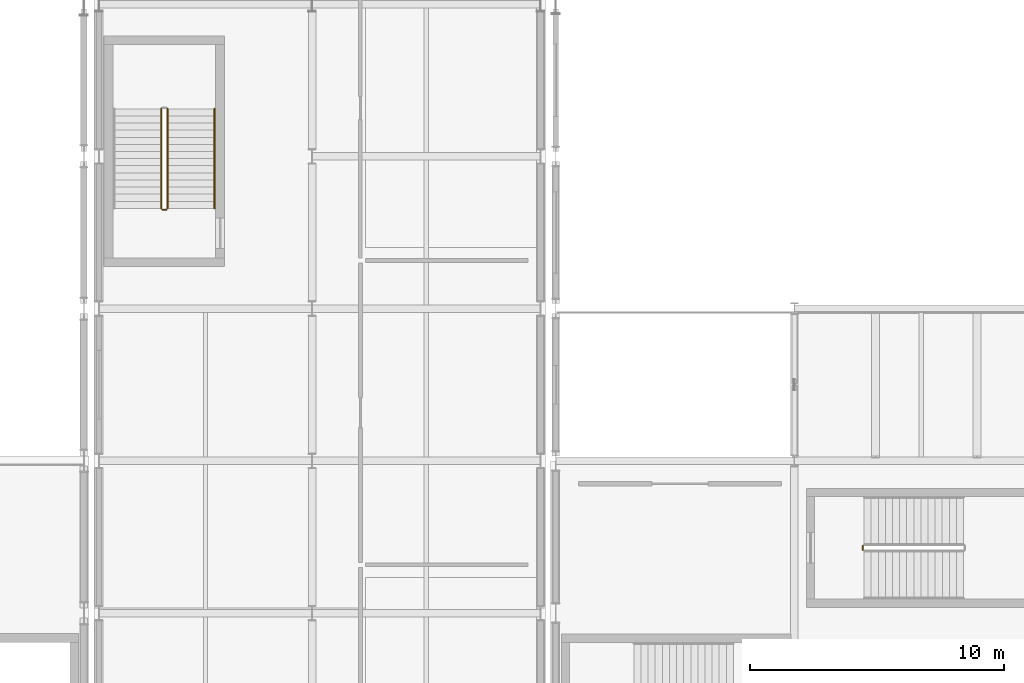
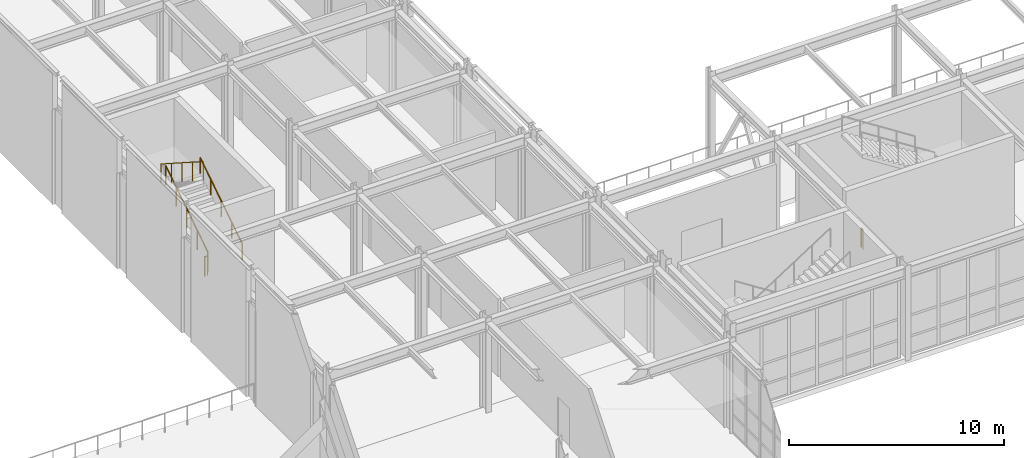
# One storey, part 207 of 210: 5 railings.
"""IFC4 building model written with IfcOpenShell, lengths in metres."""

from ifc_helpers import new_model, si_unit, direction, frame, origin, origin_2d, place, context, subcontext, project, spatial, circle, extrude, material, type_object, element, save


model = new_model("IFC4")

# Units and contexts
model_context = context("Model", 3, precision=1e-05, world=origin(), true_north=direction((0.0, 1.0)))
body_context = subcontext(model_context, "Body", "Model", "MODEL_VIEW")
ifc_project = project(units=[si_unit("LENGTHUNIT", "METRE"), si_unit("AREAUNIT", "SQUARE_METRE"), si_unit("VOLUMEUNIT", "CUBIC_METRE"), si_unit("PLANEANGLEUNIT", "RADIAN"), si_unit("MASSUNIT", "GRAM", prefix="KILO")], contexts=[model_context])

# Site, building, storey
site_placement = place(None, origin())
site = spatial("IfcSite", under=ifc_project, at=site_placement, CompositionType="ELEMENT")
building_placement = place(site_placement, origin())
building = spatial("IfcBuilding", under=site, at=building_placement, Name="Kaldris Quays Convention Centre", CompositionType="ELEMENT")
storey_placement = place(building_placement, frame((0.0, 0.0, 6.0)))
storey = spatial("IfcBuildingStorey", under=building, at=storey_placement, Name="L01", CompositionType="ELEMENT", Elevation=6.0)

# Railings
ifc_material_1 = material(Name="Steel S355J2", Category="steel")
railing_type_1 = type_object("IfcRailingType", Name="INTERIOR GUARDRAIL GR01", PredefinedType="GUARDRAIL", material=ifc_material_1)
railing_1_placement = place(storey_placement, frame((176.699951171875, 64.5, 0.0)))
element("IfcRailing", 1, at=railing_1_placement, inside=storey, type_object=railing_type_1, Name="L01 ST10 Stair Guardrail 4", PredefinedType="GUARDRAIL", context=body_context, shape_type="SweptSolid", body=[
    extrude(circle(Radius=0.02392578125, at=origin_2d()), frame((0.0, 0.0, 1.076171875), z_axis=(0.0, 1.0, 0.0), x_axis=(-1.0, 0.0, 0.0)), (0.0, 0.0, 1.0), 0.14990234375),
    extrude(circle(Radius=0.02099609375, at=origin_2d()), origin(), (0.0, 0.0, 1.0), 1.052001953125),
    extrude(circle(Radius=0.02099609375, at=origin_2d()), frame((0.0, 0.14990234375, 0.0)), (0.0, 0.0, 1.0), 1.052001953125),
])
railing_2_placement = place(storey_placement, frame((149.300048828125, 77.949951171875, 0.179931640625)))
element("IfcRailing", 2, at=railing_2_placement, inside=storey, type_object=railing_type_1, Name="L01 ST14 Stair Guardrail 1", PredefinedType="GUARDRAIL", context=body_context, shape_type="SweptSolid", body=[
    extrude(circle(Radius=0.02392578125, at=origin_2d()), frame((0.0, 0.0, 1.076171875), z_axis=(0.0, 0.841186985886, 0.540744352514), x_axis=(-1.0, 0.0, 0.0)), (0.0, 0.0, 1.0), 4.660400390625),
    extrude(circle(Radius=0.02099609375, at=origin_2d()), origin(), (0.0, 0.0, 1.0), 1.052001953125),
    extrude(circle(Radius=0.02099609375, at=origin_2d()), frame((0.0, 0.97998046875, 0.6298828125)), (0.0, 0.0, 1.0), 1.052001953125),
    extrude(circle(Radius=0.02099609375, at=origin_2d()), frame((0.0, 1.9599609375, 1.260009765625)), (0.0, 0.0, 1.0), 1.052001953125),
    extrude(circle(Radius=0.02099609375, at=origin_2d()), frame((0.0, 2.940185546875, 1.89013671875)), (0.0, 0.0, 1.0), 1.052001953125),
    extrude(circle(Radius=0.02099609375, at=origin_2d()), frame((0.0, 3.920166015625, 2.52001953125)), (0.0, 0.0, 1.0), 1.052001953125),
])
railing_3_placement = place(storey_placement, frame((149.050048828125, 81.8701171875, 2.8798828125)))
element("IfcRailing", 3, at=railing_3_placement, inside=storey, type_object=railing_type_1, Name="L01 ST14 Stair Guardrail 3", PredefinedType="GUARDRAIL", context=body_context, shape_type="SweptSolid", body=[
    extrude(circle(Radius=0.02392578125, at=origin_2d()), frame((0.0, 0.0, 1.076171875), z_axis=(0.0, -0.841186985886, 0.540744352514), x_axis=(1.0, 0.0, 0.0)), (0.0, 0.0, 1.0), 4.660400390625),
    extrude(circle(Radius=0.02099609375, at=origin_2d()), origin(), (0.0, 0.0, 1.0), 1.052001953125),
    extrude(circle(Radius=0.02099609375, at=origin_2d()), frame((0.0, -0.97998046875, 0.6298828125)), (0.0, 0.0, 1.0), 1.052001953125),
    extrude(circle(Radius=0.02099609375, at=origin_2d()), frame((0.0, -1.9599609375, 1.260009765625)), (0.0, 0.0, 1.0), 1.052001953125),
    extrude(circle(Radius=0.02099609375, at=origin_2d()), frame((0.0, -2.940185546875, 1.89013671875)), (0.0, 0.0, 1.0), 1.052001953125),
    extrude(circle(Radius=0.02099609375, at=origin_2d()), frame((0.0, -3.920166015625, 2.52001953125)), (0.0, 0.0, 1.0), 1.052001953125),
])
railing_4_placement = place(storey_placement, frame((149.25, 77.89990234375, 0.0)))
element("IfcRailing", 4, at=railing_4_placement, inside=storey, type_object=railing_type_1, Name="L01 ST14 Stair Guardrail 4", PredefinedType="GUARDRAIL", context=body_context, shape_type="SweptSolid", body=[
    extrude(circle(Radius=0.02392578125, at=origin_2d()), frame((0.0, 0.0, 1.076171875), z_axis=(-1.0, 0.0, 0.0), x_axis=(0.0, -1.0, 0.0)), (0.0, 0.0, 1.0), 0.14990234375),
    extrude(circle(Radius=0.02099609375, at=origin_2d()), origin(), (0.0, 0.0, 1.0), 1.052001953125),
    extrude(circle(Radius=0.02099609375, at=origin_2d()), frame((-0.14990234375, 0.0, 0.0)), (0.0, 0.0, 1.0), 1.052001953125),
])
ifc_material_2 = material(Name="Stainless steel 1.4301", Category="steel")
railing_type_2 = type_object("IfcRailingType", Name="STAIR HANDRAIL HR01", PredefinedType="HANDRAIL", material=ifc_material_2)
railing_5_placement = place(storey_placement, frame((151.14990234375, 77.949951171875, 0.179931640625)))
element("IfcRailing", 5, at=railing_5_placement, inside=storey, type_object=railing_type_2, Name="L01 ST14 Flight Handrail 1", PredefinedType="HANDRAIL", context=body_context, shape_type="SweptSolid", body=[
    extrude(circle(Radius=0.02392578125, at=origin_2d()), frame((0.0, 0.0, 0.8759765625), z_axis=(0.0, 0.841186985886, 0.540744352514), x_axis=(-1.0, 0.0, 0.0)), (0.0, 0.0, 1.0), 4.660400390625),
    extrude(circle(Radius=0.02099609375, at=origin_2d()), origin(), (0.0, 0.0, 1.0), 0.851806640625),
    extrude(circle(Radius=0.02099609375, at=origin_2d()), frame((0.0, 0.97998046875, 0.6298828125)), (0.0, 0.0, 1.0), 0.851806640625),
    extrude(circle(Radius=0.02099609375, at=origin_2d()), frame((0.0, 1.9599609375, 1.260009765625)), (0.0, 0.0, 1.0), 0.851806640625),
    extrude(circle(Radius=0.02099609375, at=origin_2d()), frame((0.0, 2.940185546875, 1.89013671875)), (0.0, 0.0, 1.0), 0.851806640625),
    extrude(circle(Radius=0.02099609375, at=origin_2d()), frame((0.0, 3.920166015625, 2.52001953125)), (0.0, 0.0, 1.0), 0.851806640625),
])

save(model, "model.ifc")
